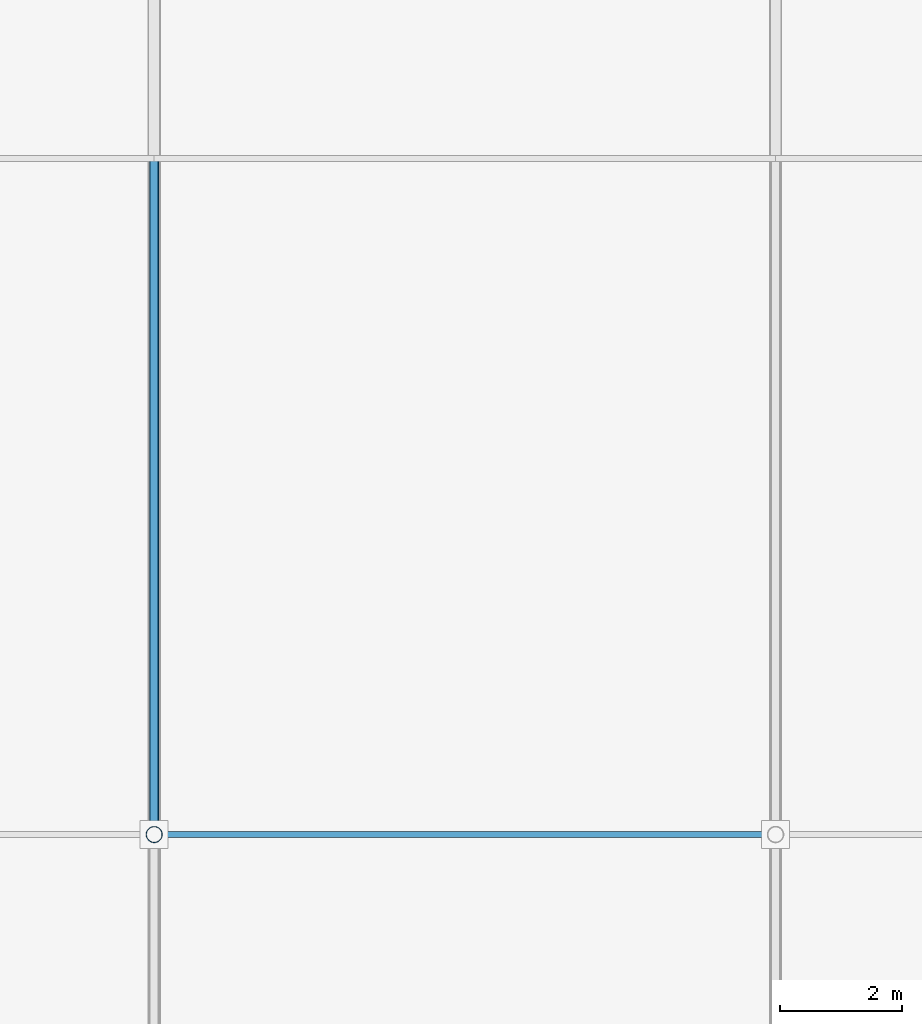
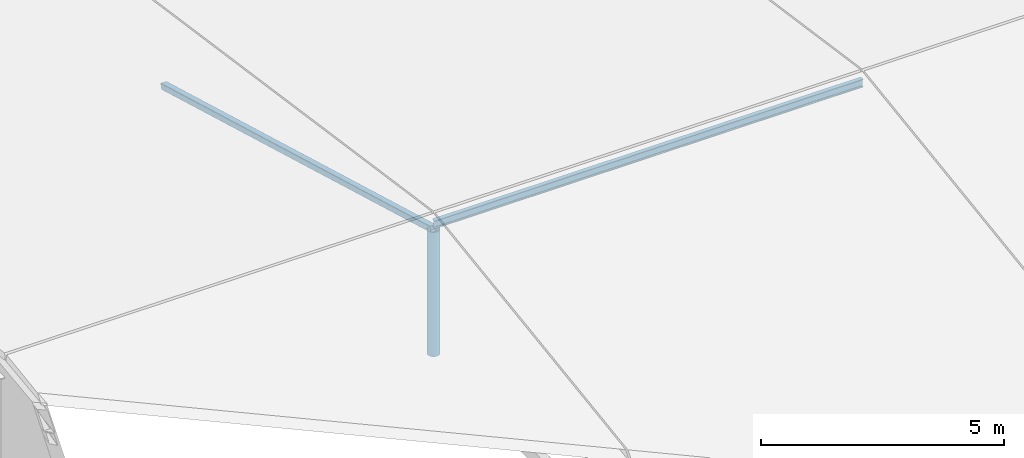
# One storey, part 76 of 135: 3 members.
"""IFC4 building model written with IfcOpenShell, lengths in metres."""

from ifc_helpers import new_model, si_unit, direction, frame, origin, origin_2d, place, context, subcontext, project, spatial, hollow_rectangle, hollow_circle, i_section, extrude, material, material_profile, profile_set, type_object, element, save


model = new_model("IFC4")

# Units and contexts
model_context = context("Model", 3, precision=1e-05, world=origin(), true_north=direction((0.0, 1.0)))
body_context = subcontext(model_context, "Body", "Model", "MODEL_VIEW")
ifc_project = project(units=[si_unit("LENGTHUNIT", "METRE"), si_unit("AREAUNIT", "SQUARE_METRE"), si_unit("VOLUMEUNIT", "CUBIC_METRE"), si_unit("PLANEANGLEUNIT", "RADIAN"), si_unit("MASSUNIT", "GRAM", prefix="KILO")], contexts=[model_context])

# Site, building, storey
site_placement = place(None, origin())
site = spatial("IfcSite", under=ifc_project, at=site_placement, CompositionType="ELEMENT")
building_placement = place(site_placement, origin())
building = spatial("IfcBuilding", under=site, at=building_placement, Name="Brelvane Convention Centre", CompositionType="ELEMENT")
storey_placement = place(building_placement, frame((0.0, 0.0, 15.0)))
storey = spatial("IfcBuildingStorey", under=building, at=storey_placement, Name="L03", CompositionType="ELEMENT", Elevation=15.0)

# Members
ifc_material_1 = material(Name="Steel E350 (350 MPa)", Category="steel")
ifc_material_profile_1 = material_profile(ifc_material_1, hollow_rectangle(XDim=0.14990234375, YDim=0.14990234375, WallThickness=0.008056640625, InnerFilletRadius=0.008056640625, OuterFilletRadius=0.01611328125, at=origin_2d()), Name="SHS 150x150x8.0")
ifc_profile_set_1 = profile_set([ifc_material_profile_1], Name="Steel E350 (350 MPa)")
member_type_1 = type_object("IfcMemberType", Name="Steel Brace TR-WB1 (SHS 150x150x8.0)", PredefinedType="BRACE", material=ifc_profile_set_1)
member_1_placement = place(storey_placement, frame((183.60009765625, 132.89990234375, -0.35009765625), z_axis=(0.0, -0.962463289152, 0.271411895529), x_axis=(1.0, 0.0, 0.0)))
element("IfcMember", 1, at=member_1_placement, inside=storey, type_object=member_type_1, Name="Ballroom Roof Truss Web 2-N", PredefinedType="BRACE", context=body_context, shape_type="SweptSolid", body=[
    extrude(hollow_rectangle(XDim=0.14990234375, YDim=0.14990234375, WallThickness=0.008056640625, InnerFilletRadius=0.008056640625, OuterFilletRadius=0.01611328125, at=origin_2d()), origin(), (0.0, 0.0, 1.0), 11.53271484375),
])
ifc_material_2 = material(Name="Steel E350 (350 MPa)", Category="steel")
ifc_material_profile_2 = material_profile(ifc_material_2, i_section(OverallWidth=0.10009765625, OverallDepth=0.199951171875, WebThickness=0.005615234375, FlangeThickness=0.0107421875, FilletRadius=0.010986328125, at=origin_2d()), Name="ISMB 200")
ifc_profile_set_2 = profile_set([ifc_material_profile_2], Name="Steel E350 (350 MPa)")
member_type_2 = type_object("IfcMemberType", Name="Steel Purlin PR-ST2 (ISMB 200)", PredefinedType="PURLIN", material=ifc_profile_set_2)
member_2_placement = place(storey_placement, frame((183.60009765625, 121.800048828125, 2.89990234375), z_axis=(1.0, 0.0, 0.0), x_axis=(0.0, 1.0, 0.0)))
element("IfcMember", 2, at=member_2_placement, inside=storey, type_object=member_type_2, Name="Ballroom Roof Purlin B2-P3", PredefinedType="PURLIN", context=body_context, shape_type="SweptSolid", body=[
    extrude(i_section(OverallWidth=0.10009765625, OverallDepth=0.199951171875, WebThickness=0.005615234375, FlangeThickness=0.0107421875, FilletRadius=0.010986328125, at=origin_2d()), origin(), (0.0, 0.0, 1.0), 10.199951171875),
])
ifc_material_3 = material(Name="Steel E350 (350 MPa)", Category="steel")
ifc_material_profile_3 = material_profile(ifc_material_3, hollow_circle(Radius=0.136474609375, WallThickness=0.012451171875, at=origin_2d()), Name="CHS 273.0x12.5")
ifc_profile_set_3 = profile_set([ifc_material_profile_3], Name="Steel E350 (350 MPa)")
member_type_3 = type_object("IfcMemberType", Name="Steel Strut SF-VT1 (CHS 273.0x12.5)", PredefinedType="STRUT", material=ifc_profile_set_3)
member_3_placement = place(storey_placement, frame((183.60009765625, 121.800048828125, -0.35009765625), z_axis=(0.0, 0.0, 1.0), x_axis=(1.0, 0.0, 0.0)))
element("IfcMember", 3, at=member_3_placement, inside=storey, type_object=member_type_3, Name="Ballroom Roof Truss Kingpost 2", PredefinedType="STRUT", context=body_context, shape_type="SweptSolid", body=[
    extrude(hollow_circle(Radius=0.136474609375, WallThickness=0.012451171875, at=origin_2d()), origin(), (0.0, 0.0, 1.0), 3.130126953125),
])

save(model, "model.ifc")
